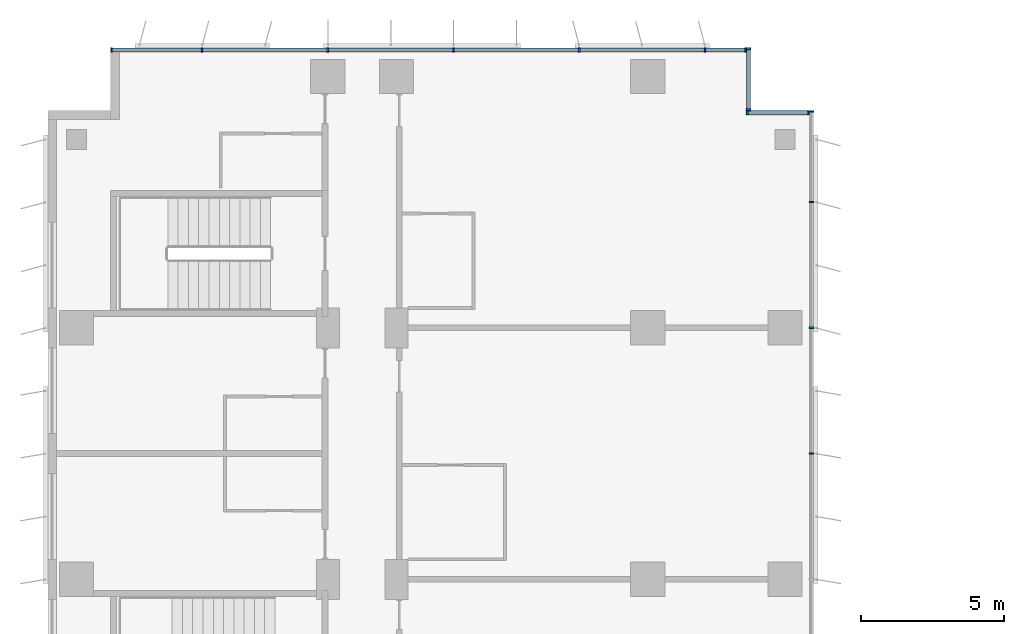
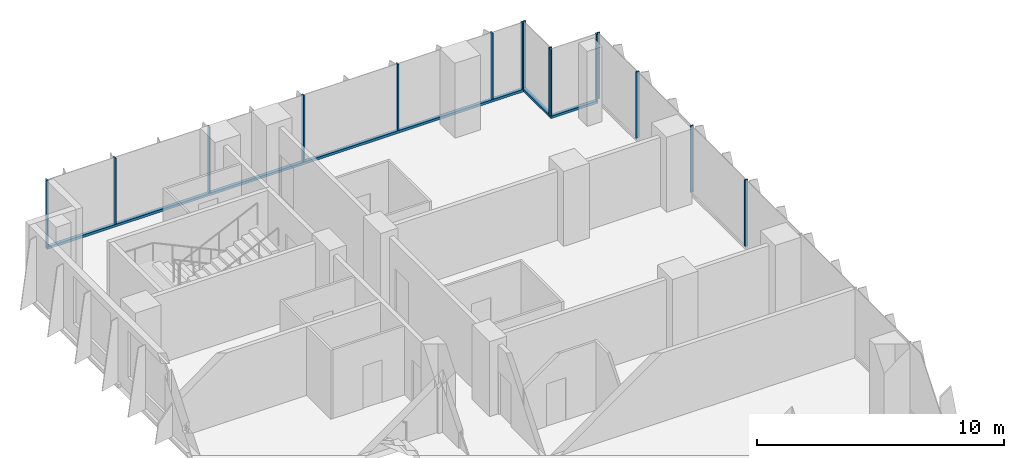
# One storey, part 9 of 22: 18 members, 4 elements without a shape of their own.
"""IFC4 building model written with IfcOpenShell, lengths in metres."""

import ifcopenshell
import ifcopenshell.guid

model = None  # the IFC model being written
_history = None  # IfcOwnerHistory: only IFC2X3 demands one
_inside = {}  # id of a spatial element -> (the spatial element, [elements in it])
_under = {}  # id of a project, library or spatial element -> (it, [spatial elements below it])
_declared = {}  # id of a project -> (the project, [libraries it declares])
_typed = {}  # id of a type object -> (the type object, [elements of that type])
_made_of = {}  # id of a material, layer set ... -> (it, [elements and type objects made of it])


def new_model(schema):
    """Start an empty IFC model of exactly this schema.

    Asked for "IFC4X3", IfcOpenShell would pick the latest addendum, in which some entities
    have other attributes; the version numbers below select the first issue.
    IFC2X3 requires an IfcOwnerHistory on every rooted entity: one is made here for all.
    """
    global model, _history
    if schema == "IFC4X3":
        model = ifcopenshell.file(schema_version=(4, 3, 0, 0))
    else:
        model = ifcopenshell.file(schema=schema)
    _inside.clear()
    _under.clear()
    _declared.clear()
    _typed.clear()
    _made_of.clear()
    _history = None
    if model.schema == "IFC2X3":
        org = make("IfcOrganization", Name="unknown")
        user = make(
            "IfcPersonAndOrganization",
            ThePerson=make("IfcPerson", FamilyName="unknown"),
            TheOrganization=org,
        )
        app = make(
            "IfcApplication",
            ApplicationDeveloper=org,
            Version="unknown",
            ApplicationFullName="unknown",
            ApplicationIdentifier="unknown",
        )
        _history = make(
            "IfcOwnerHistory",
            OwningUser=user,
            OwningApplication=app,
            ChangeAction="ADDED",
            CreationDate=0,
        )
    return model


def make(cls, **values):
    """One entity of the class cls with the attributes given. An attribute that is None is left unset."""
    return model.create_entity(
        cls, **{name: value for name, value in values.items() if value is not None}
    )


def rooted(cls, **values):
    """An entity with a GlobalId (a new one), such as an element, a storey or a relation."""
    return make(cls, GlobalId=ifcopenshell.guid.new(), OwnerHistory=_history, **values)


def si_unit(unit_type, name, prefix=None):
    """IfcSIUnit, for example si_unit("LENGTHUNIT", "METRE", prefix="MILLI")."""
    return make("IfcSIUnit", UnitType=unit_type, Prefix=prefix, Name=name)


def assignment(units):
    """IfcUnitAssignment: the units of a project."""
    return None if units is None else make("IfcUnitAssignment", Units=units)


def point(xyz):
    """IfcCartesianPoint."""
    return None if xyz is None else make("IfcCartesianPoint", Coordinates=xyz)


def direction(xyz):
    """IfcDirection."""
    return None if xyz is None else make("IfcDirection", DirectionRatios=xyz)


def frame(location, z_axis=None, x_axis=None):
    """IfcAxis2Placement3D, a coordinate frame: its origin and axes. An axis left out is left unset."""
    return make(
        "IfcAxis2Placement3D",
        Location=point(location),
        Axis=direction(z_axis),
        RefDirection=direction(x_axis),
    )


def frame_2d(location, x_axis=None):
    """IfcAxis2Placement2D, a coordinate frame in the plane: its origin and x axis."""
    return make(
        "IfcAxis2Placement2D", Location=point(location), RefDirection=direction(x_axis)
    )


def origin():
    """The frame at (0, 0, 0) with its axes left unset."""
    return frame((0.0, 0.0, 0.0))


def origin_2d():
    """The frame at (0, 0) in the plane with its x axis left unset."""
    return frame_2d((0.0, 0.0))


def place(relative_to, where):
    """IfcLocalPlacement: puts the frame where relative to a parent placement (None: the world)."""
    return make(
        "IfcLocalPlacement", PlacementRelTo=relative_to, RelativePlacement=where
    )


def context(
    kind, dimensions, precision=None, world=None, true_north=None, identifier=None
):
    """IfcGeometricRepresentationContext, for example the 3D "Model" context."""
    return make(
        "IfcGeometricRepresentationContext",
        ContextIdentifier=identifier,
        ContextType=kind,
        CoordinateSpaceDimension=dimensions,
        Precision=precision,
        WorldCoordinateSystem=world,
        TrueNorth=true_north,
    )


def subcontext(parent, identifier, kind, view, scale=None):
    """IfcGeometricRepresentationSubContext, for example "Body" below "Model"."""
    return make(
        "IfcGeometricRepresentationSubContext",
        ContextIdentifier=identifier,
        ContextType=kind,
        ParentContext=parent,
        TargetScale=scale,
        TargetView=view,
    )


def project(units=None, contexts=None):
    """IfcProject with its units and contexts."""
    return rooted(
        "IfcProject",
        Name="project",
        RepresentationContexts=contexts,
        UnitsInContext=assignment(units),
    )


def spatial(cls, under=None, at=None, **own):
    """A site, building, storey or space (cls), placed at a placement, below another one or the project."""
    s = rooted(cls, ObjectPlacement=at, **own)
    if under is not None:
        _under.setdefault(under.id(), (under, []))[1].append(s)
    return s


def profile(cls, at=None, kind="AREA", **sizes):
    """A parametric profile (cls). Its sizes go by their IFC names, for example OverallWidth=200.0."""
    return make(cls, ProfileType=kind, Position=at, **sizes)


def rectangle(**sizes):
    """IfcRectangleProfileDef."""
    return profile("IfcRectangleProfileDef", **sizes)


def extrude(swept, where, along, depth):
    """IfcExtrudedAreaSolid: the profile swept, set in the frame where, extruded along a direction by depth."""
    return make(
        "IfcExtrudedAreaSolid",
        SweptArea=swept,
        Position=where,
        ExtrudedDirection=direction(along),
        Depth=depth,
    )


def shape(context_of_items, identifier, shape_type, items):
    """IfcShapeRepresentation: the items that make up one representation, for example the "Body"."""
    return make(
        "IfcShapeRepresentation",
        ContextOfItems=context_of_items,
        RepresentationIdentifier=identifier,
        RepresentationType=shape_type,
        Items=items,
    )


def source(mapping_origin, context_of_items, identifier, shape_type, items):
    """IfcRepresentationMap: a shape defined once, which mapped items show again and again."""
    return make(
        "IfcRepresentationMap",
        MappingOrigin=mapping_origin,
        MappedRepresentation=shape(context_of_items, identifier, shape_type, items),
    )


def transform(
    local_origin,
    x_axis=None,
    y_axis=None,
    z_axis=None,
    scale=None,
    scale2=None,
    scale3=None,
    uniform=True,
):
    """IfcCartesianTransformationOperator3D, or its non-uniform kind. x_axis, y_axis, z_axis: its Axis1, 2, 3."""
    if uniform:
        return make(
            "IfcCartesianTransformationOperator3D",
            Axis1=direction(x_axis),
            Axis2=direction(y_axis),
            LocalOrigin=point(local_origin),
            Scale=scale,
            Axis3=direction(z_axis),
        )
    return make(
        "IfcCartesianTransformationOperator3DnonUniform",
        Axis1=direction(x_axis),
        Axis2=direction(y_axis),
        LocalOrigin=point(local_origin),
        Scale=scale,
        Axis3=direction(z_axis),
        Scale2=scale2,
        Scale3=scale3,
    )


def mapped(mapping_source, mapping_target):
    """IfcMappedItem: shows the shape of a source again, moved by a transform."""
    return make(
        "IfcMappedItem", MappingSource=mapping_source, MappingTarget=mapping_target
    )


def material(Name=None, Category=None):
    """IfcMaterial."""
    return make("IfcMaterial", Name=Name, Category=Category)


def material_profile(
    of_material, cross_section, Name=None, Category=None, Priority=None
):
    """IfcMaterialProfile: a cross section and its material."""
    return make(
        "IfcMaterialProfile",
        Name=Name,
        Material=of_material,
        Profile=cross_section,
        Priority=Priority,
        Category=Category,
    )


def profile_set(profiles, Name=None, composite=None):
    """IfcMaterialProfileSet."""
    return make(
        "IfcMaterialProfileSet",
        Name=Name,
        MaterialProfiles=profiles,
        CompositeProfile=composite,
    )


def made_of(thing, what):
    """Note that an element or type object is made of a material, layer set ...; save() writes the relation."""
    if what is not None:
        _made_of.setdefault(what.id(), (what, []))[1].append(thing)
    return thing


def type_object(cls, material=None, **own):
    """A type object (cls), such as IfcWallType, which elements share."""
    return made_of(rooted(cls, **own), material)


def element(
    cls,
    number,
    at=None,
    inside=None,
    cuts=None,
    type_object=None,
    material=None,
    context=None,
    identifier="Body",
    shape_type=None,
    held_by="IfcProductDefinitionShape",
    body=None,
    shapes=None,
    **own,
):
    """One element of the class cls, such as IfcWall. Its Tag is "e" and its number.

    at: its placement. inside: the storey or other place that contains it. cuts: it is an
    opening in that element (IfcRelVoidsElement). A single representation is given by context,
    identifier, shape_type and body (its items); several are given by shapes. held_by: the class
    of the entity that holds the representations. save() writes the other relations.
    """
    e = rooted(cls, Tag="e%d" % number, ObjectPlacement=at, **own)
    if body is not None:
        shapes = [shape(context, identifier, shape_type, body)]
    if shapes is not None:
        e.Representation = make(held_by, Representations=shapes)
    if inside is not None:
        _inside.setdefault(inside.id(), (inside, []))[1].append(e)
    if cuts is not None:
        rooted(
            "IfcRelVoidsElement", RelatingBuildingElement=cuts, RelatedOpeningElement=e
        )
    if type_object is not None:
        _typed.setdefault(type_object.id(), (type_object, []))[1].append(e)
    return made_of(e, material)


def aggregate(whole, parts):
    """IfcRelAggregates: a whole, such as a stair, and the parts it consists of."""
    return rooted("IfcRelAggregates", RelatingObject=whole, RelatedObjects=parts)


def save(model, path):
    """Write the relations noted so far, then the file.

    IfcRelAggregates (storeys below a building ...), IfcRelContainedInSpatialStructure (elements
    in a storey), IfcRelDefinesByType, IfcRelAssociatesMaterial and IfcRelDeclares: one each for
    every whole, place, type object, material and project.
    """
    for whole, parts in _under.values():
        aggregate(whole, parts)
    for where, things in _inside.values():
        rooted(
            "IfcRelContainedInSpatialStructure",
            RelatedElements=things,
            RelatingStructure=where,
        )
    for kind, things in _typed.values():
        rooted("IfcRelDefinesByType", RelatedObjects=things, RelatingType=kind)
    for what, things in _made_of.values():
        rooted("IfcRelAssociatesMaterial", RelatedObjects=things, RelatingMaterial=what)
    for by, libraries in _declared.values():
        rooted("IfcRelDeclares", RelatingContext=by, RelatedDefinitions=libraries)
    model.write(path)


model = new_model("IFC4")

# Units and contexts
model_context = context("Model", 3, precision=1e-05, world=origin(), true_north=direction((0.0, 1.0)))
body_context = subcontext(model_context, "Body", "Model", "MODEL_VIEW")
ifc_project = project(units=[si_unit("LENGTHUNIT", "METRE"), si_unit("AREAUNIT", "SQUARE_METRE"), si_unit("VOLUMEUNIT", "CUBIC_METRE"), si_unit("PLANEANGLEUNIT", "RADIAN"), si_unit("MASSUNIT", "GRAM", prefix="KILO")], contexts=[model_context])

# Site, building, storey
site_placement = place(None, origin())
site = spatial("IfcSite", under=ifc_project, at=site_placement, CompositionType="ELEMENT")
building_placement = place(site_placement, origin())
building = spatial("IfcBuilding", under=site, at=building_placement, Name="Kemantara Hotel Tower", CompositionType="ELEMENT")
storey_placement = place(building_placement, frame((0.0, 0.0, 111.10009765625)))
storey = spatial("IfcBuildingStorey", under=building, at=storey_placement, Name="L26", CompositionType="ELEMENT", Elevation=111.10009765625)

# Curtain wall, member
ifc_material_1 = material(Name="Low-E tinted double insulated glass 36 mm", Category="glass")
curtain_wall_type = type_object("IfcCurtainWallType", Name="TOWER CURTAIN WALL, FRONT FACES", PredefinedType="USERDEFINED", material=ifc_material_1)
curtain_wall_1_placement = place(storey_placement, origin())
curtain_wall_1 = element("IfcCurtainWall", 1, at=curtain_wall_1_placement, inside=storey, type_object=curtain_wall_type, Name="CW4 L26 T2-R01-1", ObjectType="TOWER CURTAIN WALL, FRONT FACES", PredefinedType="USERDEFINED")
ifc_material_2 = material(Name="Aluminium 6063-T6 bronze anodised", Category="aluminium")
ifc_material_profile_1 = material_profile(ifc_material_2, rectangle(XDim=0.14990234375, YDim=0.1201171875, at=origin_2d()), Name="TOWER CURTAIN WALL, FRONT FACES TRANSOM")
ifc_profile_set_1 = profile_set([ifc_material_profile_1], Name="Aluminium 6063-T6 bronze anodised")
member_type_1 = type_object("IfcMemberType", Name="TOWER CURTAIN WALL, FRONT FACES TRANSOM", PredefinedType="USERDEFINED", material=ifc_profile_set_1)
member_1_placement = place(storey_placement, frame((24.449951171875, 81.125, 0.059814453125), z_axis=(-1.0, 0.0, 0.0), x_axis=(0.0, -1.0, 0.0)))
member_1 = element("IfcMember", 2, at=member_1_placement, type_object=member_type_1, Name="CW4 sill transom T2-R01-1", ObjectType="TRANSOM", PredefinedType="USERDEFINED", context=body_context, shape_type="SweptSolid", body=[
    extrude(rectangle(XDim=0.14990234375, YDim=0.1201171875, at=origin_2d()), origin(), (0.0, 0.0, 1.0), 22.25),
])

curtain_wall_2_placement = place(storey_placement, origin())
curtain_wall_2 = element("IfcCurtainWall", 3, at=curtain_wall_2_placement, inside=storey, type_object=curtain_wall_type, Name="CW4 L26 T2-R00-1", ObjectType="TOWER CURTAIN WALL, FRONT FACES", PredefinedType="USERDEFINED")
member_2_placement = place(storey_placement, frame((24.52490234375, 79.0, 0.059814453125), z_axis=(0.0, 1.0, 0.0), x_axis=(-1.0, 0.0, 0.0)))
member_2 = element("IfcMember", 4, at=member_2_placement, type_object=member_type_1, Name="CW4 sill transom T2-R00-1", ObjectType="TRANSOM", PredefinedType="USERDEFINED", context=body_context, shape_type="SweptSolid", body=[
    extrude(rectangle(XDim=0.14990234375, YDim=0.1201171875, at=origin_2d()), origin(), (0.0, 0.0, 1.0), 2.199951171875),
])

curtain_wall_3_placement = place(storey_placement, origin())
curtain_wall_3 = element("IfcCurtainWall", 5, at=curtain_wall_3_placement, inside=storey, type_object=curtain_wall_type, Name="CW4 L26 T2-R15-1", ObjectType="TOWER CURTAIN WALL, FRONT FACES", PredefinedType="USERDEFINED")
member_3_placement = place(storey_placement, frame((26.64990234375, 78.925048828125, 0.059814453125), z_axis=(-1.0, 0.0, 0.0), x_axis=(0.0, -1.0, 0.0)))
member_3 = element("IfcMember", 6, at=member_3_placement, type_object=member_type_1, Name="CW4 sill transom T2-R15-1", ObjectType="TRANSOM", PredefinedType="USERDEFINED", context=body_context, shape_type="SweptSolid", body=[
    extrude(rectangle(XDim=0.14990234375, YDim=0.1201171875, at=origin_2d()), origin(), (0.0, 0.0, 1.0), 2.199951171875),
])

# Member
ifc_material_profile_2 = material_profile(ifc_material_2, rectangle(XDim=0.14990234375, YDim=0.06005859375, at=origin_2d()), Name="TOWER CURTAIN WALL, FRONT FACES MULLION")
ifc_profile_set_2 = profile_set([ifc_material_profile_2], Name="Aluminium 6063-T6 bronze anodised")
member_type_2 = type_object("IfcMemberType", Name="TOWER CURTAIN WALL, FRONT FACES MULLION", PredefinedType="MULLION", material=ifc_profile_set_2)
shared_shape = source(origin(), body_context, "Body", "SweptSolid", [
    extrude(rectangle(XDim=0.14990234375, YDim=0.06005859375, at=origin_2d()), origin(), (0.0, 0.0, 1.0), 3.280029296875),
])
member_4_placement = place(storey_placement, frame((24.419921875, 81.125, 0.119873046875), z_axis=(0.0, 0.0, 1.0), x_axis=(0.0, -1.0, 0.0)))
member_4 = element("IfcMember", 7, at=member_4_placement, type_object=member_type_2, Name="CW4 mullion T2-R01-1.1", PredefinedType="MULLION", context=body_context, shape_type="MappedRepresentation", body=[
    mapped(shared_shape, transform((0.0, 0.0, 0.0))),
])

member_5_placement = place(storey_placement, frame((23.0, 81.125, 0.119873046875), z_axis=(0.0, 0.0, 1.0), x_axis=(0.0, -1.0, 0.0)))
member_5 = element("IfcMember", 8, at=member_5_placement, type_object=member_type_2, Name="CW4 mullion T2-R01-1.2", PredefinedType="MULLION", context=body_context, shape_type="MappedRepresentation", body=[
    mapped(shared_shape, transform((0.0, 0.0, 0.0))),
])

member_6_placement = place(storey_placement, frame((18.60009765625, 81.125, 0.119873046875), z_axis=(0.0, 0.0, 1.0), x_axis=(0.0, -1.0, 0.0)))
member_6 = element("IfcMember", 9, at=member_6_placement, type_object=member_type_2, Name="CW4 mullion T2-R01-1.3", PredefinedType="MULLION", context=body_context, shape_type="MappedRepresentation", body=[
    mapped(shared_shape, transform((0.0, 0.0, 0.0))),
])

member_7_placement = place(storey_placement, frame((14.199951171875, 81.125, 0.119873046875), z_axis=(0.0, 0.0, 1.0), x_axis=(0.0, -1.0, 0.0)))
member_7 = element("IfcMember", 10, at=member_7_placement, type_object=member_type_2, Name="CW4 mullion T2-R01-1.4", PredefinedType="MULLION", context=body_context, shape_type="MappedRepresentation", body=[
    mapped(shared_shape, transform((0.0, 0.0, 0.0))),
])

member_8_placement = place(storey_placement, frame((9.800048828125, 81.125, 0.119873046875), z_axis=(0.0, 0.0, 1.0), x_axis=(0.0, -1.0, 0.0)))
member_8 = element("IfcMember", 11, at=member_8_placement, type_object=member_type_2, Name="CW4 mullion T2-R01-1.5", PredefinedType="MULLION", context=body_context, shape_type="MappedRepresentation", body=[
    mapped(shared_shape, transform((0.0, 0.0, 0.0))),
])

member_9_placement = place(storey_placement, frame((5.39990234375, 81.125, 0.119873046875), z_axis=(0.0, 0.0, 1.0), x_axis=(0.0, -1.0, 0.0)))
member_9 = element("IfcMember", 12, at=member_9_placement, type_object=member_type_2, Name="CW4 mullion T2-R01-1.6", PredefinedType="MULLION", context=body_context, shape_type="MappedRepresentation", body=[
    mapped(shared_shape, transform((0.0, 0.0, 0.0))),
])

member_10_placement = place(storey_placement, frame((2.22998046875, 81.125, 0.119873046875), z_axis=(0.0, 0.0, 1.0), x_axis=(0.0, -1.0, 0.0)))
member_10 = element("IfcMember", 13, at=member_10_placement, type_object=member_type_2, Name="CW4 mullion T2-R01-1.7", PredefinedType="MULLION", context=body_context, shape_type="MappedRepresentation", body=[
    mapped(shared_shape, transform((0.0, 0.0, 0.0))),
])

aggregate(curtain_wall_1, [member_1, member_4, member_5, member_6, member_7, member_8, member_9, member_10])

# Curtain wall, members
curtain_wall_4_placement = place(storey_placement, origin())
curtain_wall_4 = element("IfcCurtainWall", 14, at=curtain_wall_4_placement, inside=storey, type_object=curtain_wall_type, Name="CW4 L26 T2-R14-1", ObjectType="TOWER CURTAIN WALL, FRONT FACES", PredefinedType="USERDEFINED")
member_11_placement = place(storey_placement, frame((26.72509765625, 67.0, 0.119873046875), z_axis=(0.0, 0.0, 1.0), x_axis=(-1.0, 0.0, 0.0)))
member_11 = element("IfcMember", 15, at=member_11_placement, type_object=member_type_2, Name="CW4 mullion T2-R14-1.12", PredefinedType="MULLION", context=body_context, shape_type="MappedRepresentation", body=[
    mapped(shared_shape, transform((0.0, 0.0, 0.0))),
])
member_12_placement = place(storey_placement, frame((26.72509765625, 71.39990234375, 0.119873046875), z_axis=(0.0, 0.0, 1.0), x_axis=(-1.0, 0.0, 0.0)))
member_12 = element("IfcMember", 16, at=member_12_placement, type_object=member_type_2, Name="CW4 mullion T2-R14-1.13", PredefinedType="MULLION", context=body_context, shape_type="MappedRepresentation", body=[
    mapped(shared_shape, transform((0.0, 0.0, 0.0))),
])
member_13_placement = place(storey_placement, frame((26.72509765625, 75.800048828125, 0.119873046875), z_axis=(0.0, 0.0, 1.0), x_axis=(-1.0, 0.0, 0.0)))
member_13 = element("IfcMember", 17, at=member_13_placement, type_object=member_type_2, Name="CW4 mullion T2-R14-1.14", PredefinedType="MULLION", context=body_context, shape_type="MappedRepresentation", body=[
    mapped(shared_shape, transform((0.0, 0.0, 0.0))),
])
member_14_placement = place(storey_placement, frame((26.72509765625, 78.969970703125, 0.119873046875), z_axis=(0.0, 0.0, 1.0), x_axis=(-1.0, 0.0, 0.0)))
member_14 = element("IfcMember", 18, at=member_14_placement, type_object=member_type_2, Name="CW4 mullion T2-R14-1.15", PredefinedType="MULLION", context=body_context, shape_type="MappedRepresentation", body=[
    mapped(shared_shape, transform((0.0, 0.0, 0.0))),
])
aggregate(curtain_wall_4, [member_11, member_12, member_13, member_14])

# Member
member_15_placement = place(storey_placement, frame((24.52490234375, 79.030029296875, 0.119873046875), z_axis=(0.0, 0.0, 1.0), x_axis=(-1.0, 0.0, 0.0)))
member_15 = element("IfcMember", 19, at=member_15_placement, type_object=member_type_2, Name="CW4 mullion T2-R00-1.1", PredefinedType="MULLION", context=body_context, shape_type="MappedRepresentation", body=[
    mapped(shared_shape, transform((0.0, 0.0, 0.0))),
])

member_16_placement = place(storey_placement, frame((24.52490234375, 81.169921875, 0.119873046875), z_axis=(0.0, 0.0, 1.0), x_axis=(-1.0, 0.0, 0.0)))
member_16 = element("IfcMember", 20, at=member_16_placement, type_object=member_type_2, Name="CW4 mullion T2-R00-1.2", PredefinedType="MULLION", context=body_context, shape_type="MappedRepresentation", body=[
    mapped(shared_shape, transform((0.0, 0.0, 0.0))),
])

aggregate(curtain_wall_2, [member_2, member_15, member_16])

member_17_placement = place(storey_placement, frame((26.6201171875, 78.925048828125, 0.119873046875), z_axis=(0.0, 0.0, 1.0), x_axis=(0.0, -1.0, 0.0)))
member_17 = element("IfcMember", 21, at=member_17_placement, type_object=member_type_2, Name="CW4 mullion T2-R15-1.1", PredefinedType="MULLION", context=body_context, shape_type="MappedRepresentation", body=[
    mapped(shared_shape, transform((0.0, 0.0, 0.0))),
])

member_18_placement = place(storey_placement, frame((24.47998046875, 78.925048828125, 0.119873046875), z_axis=(0.0, 0.0, 1.0), x_axis=(0.0, -1.0, 0.0)))
member_18 = element("IfcMember", 22, at=member_18_placement, type_object=member_type_2, Name="CW4 mullion T2-R15-1.2", PredefinedType="MULLION", context=body_context, shape_type="MappedRepresentation", body=[
    mapped(shared_shape, transform((0.0, 0.0, 0.0))),
])

aggregate(curtain_wall_3, [member_3, member_17, member_18])

save(model, "model.ifc")
